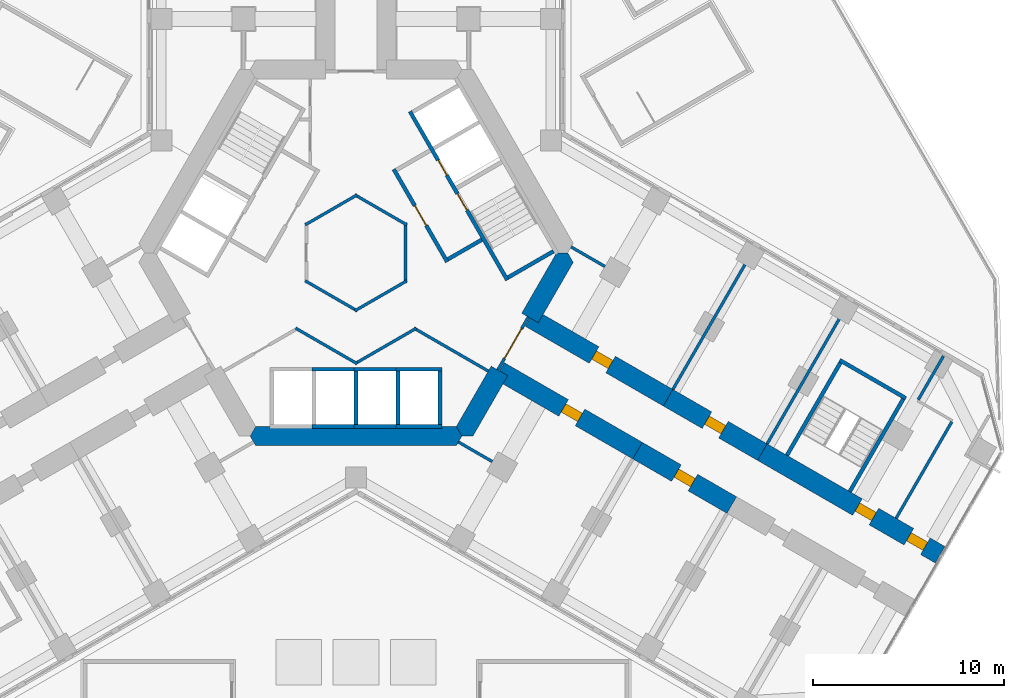
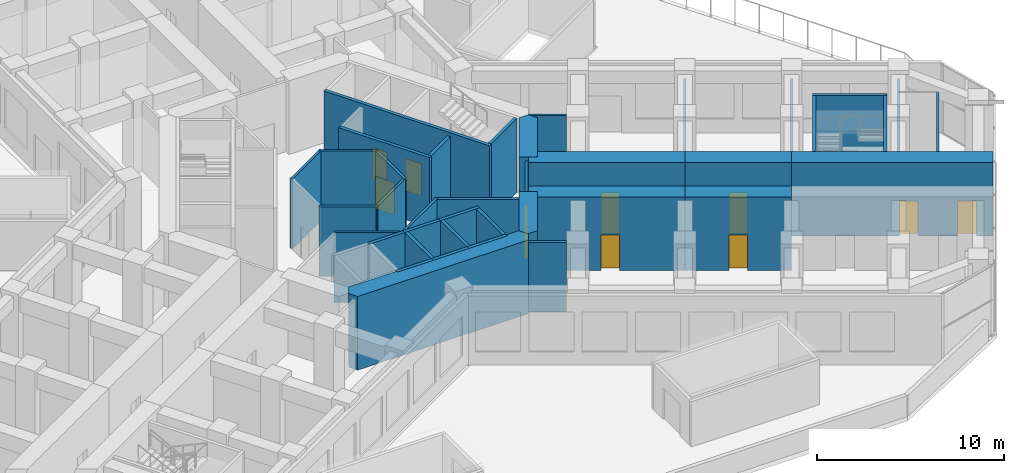
# One storey, part 12 of 18: 39 walls, 10 doors, 10 openings.
"""IFC4 building model written with IfcOpenShell, lengths in metres."""

from ifc_helpers import new_model, si_unit, direction, frame, frame_2d, origin, place, context, subcontext, project, spatial, polyline, rectangle, outline, extrude, material, layer, layer_set, type_object, element, fill, save


model = new_model("IFC4")

# Units and contexts
model_context = context("Model", 3, precision=1e-05, world=origin(), true_north=direction((0.0, 1.0)))
body_context = subcontext(model_context, "Body", "Model", "MODEL_VIEW")
ifc_project = project(units=[si_unit("LENGTHUNIT", "METRE"), si_unit("AREAUNIT", "SQUARE_METRE"), si_unit("VOLUMEUNIT", "CUBIC_METRE"), si_unit("PLANEANGLEUNIT", "RADIAN"), si_unit("MASSUNIT", "GRAM", prefix="KILO")], contexts=[model_context])

# Site, building, storey
site_placement = place(None, origin())
site = spatial("IfcSite", under=ifc_project, at=site_placement, CompositionType="ELEMENT")
building_placement = place(site_placement, origin())
building = spatial("IfcBuilding", under=site, at=building_placement, Name="Kosmar Iwan School Tower", CompositionType="ELEMENT")
storey_placement = place(building_placement, frame((0.0, 0.0, 20.39990234375)))
storey = spatial("IfcBuildingStorey", under=building, at=storey_placement, Name="L04", CompositionType="ELEMENT", Elevation=20.39990234375)

# Walls
ifc_material_1 = material(Name="Gypsum board on steel studs, fire-rated", Category="steel")
ifc_layer_1 = layer(ifc_material_1, 0.14990234375)
ifc_layer_set_1 = layer_set([ifc_layer_1], Name="Core room partition 150")
wall_type_1 = type_object("IfcWallType", Name="Core room partition 150", PredefinedType="PARTITIONING", material=ifc_layer_set_1)
for number, where, z_axis, x_axis, name in (
    (1, (2.6650390625, -1.463623046875, 0.0), (0.0, 0.0, 1.0), (-0.866023080072, -0.500004024767, 0.0), "Core room partition L04-CW4"),
    (2, (0.06494140625, -3.039794921875, 0.0), (0.0, 0.0, 1.0), (-0.866023080072, 0.500004024767, 0.0), "Core room partition L04-CW5"),
    (3, (-2.6650390625, 1.463623046875, 0.0), (0.0, 0.0, 1.0), (0.866023080072, 0.500004024767, 0.0), "Core room partition L04-CW7"),
    (4, (-0.06494140625, 3.039794921875, 0.0), (0.0, 0.0, 1.0), (0.866023080072, -0.500004024767, 0.0), "Core room partition L04-CW8"),
    (5, (2.60009765625, 1.576171875, 0.0), (0.0, 0.0, 1.0), (0.0, -1.0, 0.0), "Core room partition L04-CW9"),
):
    element("IfcWall", number, at=place(storey_placement, frame(where, z_axis=z_axis, x_axis=x_axis)), inside=storey, type_object=wall_type_1, Name=name, PredefinedType="PARTITIONING", context=body_context, shape_type="SweptSolid", body=[
        extrude(rectangle(XDim=3.15234375, YDim=0.14990234375, at=frame_2d((1.576171875, 0.0))), origin(), (0.0, 0.0, 1.0), 4.550048828125),
    ])
for number, where, z_axis, x_axis, name in (
    (6, (-3.1650390625, -3.9462890625, 0.0), (0.0, 0.0, 1.0), (0.866035156036, -0.499983108224, 0.0), "Core room partition L04-CW11"),
    (7, (-0.06494140625, -5.81103515625, 0.0), (0.0, 0.0, 1.0), (0.866035156036, 0.499983108224, 0.0), "Core room partition L04-CW12"),
):
    element("IfcWall", number, at=place(storey_placement, frame(where, z_axis=z_axis, x_axis=x_axis)), inside=storey, type_object=wall_type_1, Name=name, PredefinedType="PARTITIONING", context=body_context, shape_type="SweptSolid", body=[
        extrude(rectangle(XDim=3.729736328125, YDim=0.14990234375, at=frame_2d((1.86474609375, 0.0))), origin(), (0.0, 0.0, 1.0), 4.550048828125),
    ])
wall_1_placement = place(storey_placement, frame((3.03515625, -3.9462890625, 0.0), z_axis=(0.0, 0.0, 1.0), x_axis=(0.866020192391, -0.500009026289, 0.0)))
element("IfcWall", 8, at=wall_1_placement, inside=storey, type_object=wall_type_1, Name="Core room partition L04-CW13", PredefinedType="PARTITIONING", context=body_context, shape_type="SweptSolid", body=[
    extrude(rectangle(XDim=4.49853515625, YDim=0.14990234375, at=frame_2d((2.249267578125, 0.0))), origin(), (0.0, 0.0, 1.0), 4.550048828125),
])
ifc_material_2 = material(Name="Concrete C50/60", Category="concrete")
ifc_layer_2 = layer(ifc_material_2, 1.0)
ifc_layer_set_2 = layer_set([ifc_layer_2], Name="Core wall 1000")
wall_type_2 = type_object("IfcWallType", Name="Core wall 1000", PredefinedType="SHEAR", material=ifc_layer_set_2)
wall_2_placement = place(storey_placement, origin())
element("IfcWall", 9, at=wall_2_placement, inside=storey, type_object=wall_type_2, Name="Core wall F270", PredefinedType="SHEAR", context=body_context, shape_type="SweptSolid", body=[
    extrude(outline(polyline([(-5.25390625, -10.10009765625), (5.25390625, -10.10009765625), (5.54248046875, -9.60009765625), (5.25390625, -9.10009765625), (-5.25390625, -9.10009765625), (-5.54248046875, -9.60009765625), (-5.25390625, -10.10009765625)])), origin(), (0.0, 0.0, 1.0), 4.800048828125),
])
wall_3_placement = place(storey_placement, origin())
element("IfcWall", 10, at=wall_3_placement, inside=storey, type_object=wall_type_2, Name="Core wall F330a", PredefinedType="SHEAR", context=body_context, shape_type="SweptSolid", body=[
    extrude(outline(polyline([(5.54248046875, -9.60009765625), (6.119873046875, -9.60009765625), (7.94677734375, -6.435546875), (7.080810546875, -5.935546875), (5.25390625, -9.10009765625), (5.54248046875, -9.60009765625)])), origin(), (0.0, 0.0, 1.0), 4.800048828125),
])
wall_4_placement = place(storey_placement, origin())
element("IfcWall", 11, at=wall_4_placement, inside=storey, type_object=wall_type_2, Name="Core wall F330b", PredefinedType="SHEAR", context=body_context, shape_type="SweptSolid", body=[
    extrude(outline(polyline([(9.546875, -3.664306640625), (11.373779296875, -0.5), (11.085205078125, 0.0), (10.5078125, 0.0), (8.680908203125, -3.164306640625), (9.546875, -3.664306640625)])), origin(), (0.0, 0.0, 1.0), 4.800048828125),
])

# Wall, opening, door
ifc_material_3 = material(Name="Concrete C50/60", Category="concrete")
ifc_layer_3 = layer(ifc_material_3, 1.0)
ifc_layer_set_3 = layer_set([ifc_layer_3], Name="Corridor buttress wall 1000")
wall_type_3 = type_object("IfcWallType", Name="Corridor buttress wall 1000", PredefinedType="SHEAR", material=ifc_layer_set_3)
wall_5_placement = place(storey_placement, frame((9.11376953125, -3.414306640625, 0.0), z_axis=(0.0, 0.0, 1.0), x_axis=(0.866026859388, -0.499997478812, 0.0)))
wall_5 = element("IfcWall", 12, at=wall_5_placement, inside=storey, type_object=wall_type_3, Name="Corridor wall CL", PredefinedType="SHEAR", context=body_context, shape_type="SweptSolid", body=[
    extrude(rectangle(XDim=8.35009765625, YDim=1.0, at=frame_2d((4.175048828125, 0.0))), origin(), (0.0, 0.0, 1.0), 4.800048828125),
])
opening_1_placement = place(wall_5_placement, frame((3.875, 0.0, 0.0)))
opening_1 = element("IfcOpeningElement", 13, at=opening_1_placement, cuts=wall_5, Name="Opening D4", PredefinedType="OPENING", context=body_context, shape_type="SweptSolid", body=[
    extrude(rectangle(XDim=1.0, YDim=2.300048828125, at=frame_2d((0.5, 1.14990234375))), frame((0.0, 0.511962890625, 0.0), z_axis=(0.0, -1.0, 0.0), x_axis=(1.0, 0.0, 0.0)), (0.0, 0.0, 1.0), 1.02392578125),
])
ifc_material_4 = material(Name="Timber fire door with vision panel", Category="wood")
door_type_1 = type_object("IfcDoorType", Name="Classroom door 1000x2300", OperationType="SINGLE_SWING_LEFT", PredefinedType="DOOR", material=ifc_material_4)
door_1_placement = place(opening_1_placement, origin())
door_1 = element("IfcDoor", 14, at=door_1_placement, inside=storey, type_object=door_type_1, Name="Technology workshop CL door L04-CL1", OperationType="SINGLE_SWING_RIGHT", OverallHeight=2.300048828125, OverallWidth=1.0, PredefinedType="DOOR", context=body_context, shape_type="SweptSolid", body=[
    extrude(rectangle(XDim=1.0, YDim=2.300048828125, at=frame_2d((0.5, 1.14990234375))), frame((0.0, 0.25, 0.0), z_axis=(0.0, -1.0, 0.0), x_axis=(1.0, 0.0, 0.0)), (0.0, 0.0, 1.0), 0.5),
])
fill(opening_1, door_1)

wall_6_placement = place(storey_placement, frame((16.34521484375, -7.58935546875, 0.0), z_axis=(0.0, 0.0, 1.0), x_axis=(0.866015111908, -0.50001782563, 0.0)))
wall_6 = element("IfcWall", 15, at=wall_6_placement, inside=storey, type_object=wall_type_3, Name="Corridor wall CL bay 2", PredefinedType="SHEAR", context=body_context, shape_type="SweptSolid", body=[
    extrude(rectangle(XDim=5.699951171875, YDim=1.0, at=frame_2d((2.85009765625, 0.0))), origin(), (0.0, 0.0, 1.0), 4.800048828125),
])
opening_2_placement = place(wall_6_placement, frame((2.35009765625, 0.0, 0.0)))
opening_2 = element("IfcOpeningElement", 16, at=opening_2_placement, cuts=wall_6, Name="Opening D4", PredefinedType="OPENING", context=body_context, shape_type="SweptSolid", body=[
    extrude(rectangle(XDim=1.0, YDim=2.300048828125, at=frame_2d((0.5, 1.14990234375))), frame((0.0, 0.511962890625, 0.0), z_axis=(0.0, -1.0, 0.0), x_axis=(1.0, 0.0, 0.0)), (0.0, 0.0, 1.0), 1.02392578125),
])
door_2_placement = place(opening_2_placement, origin())
door_2 = element("IfcDoor", 17, at=door_2_placement, inside=storey, type_object=door_type_1, Name="Drawing studio CL door L04-CL2", OperationType="SINGLE_SWING_RIGHT", OverallHeight=2.300048828125, OverallWidth=1.0, PredefinedType="DOOR", context=body_context, shape_type="SweptSolid", body=[
    extrude(rectangle(XDim=1.0, YDim=2.300048828125, at=frame_2d((0.5, 1.14990234375))), frame((0.0, 0.25, 0.0), z_axis=(0.0, -1.0, 0.0), x_axis=(1.0, 0.0, 0.0)), (0.0, 0.0, 1.0), 0.5),
])
fill(opening_2, door_2)

# Wall, openings, doors
wall_7_placement = place(storey_placement, frame((21.281494140625, -10.439453125, 0.0), z_axis=(0.0, 0.0, 1.0), x_axis=(0.866032345022, -0.499987977232, 0.0)))
wall_7 = element("IfcWall", 18, at=wall_7_placement, inside=storey, type_object=wall_type_3, Name="Corridor wall CL bay 3", PredefinedType="SHEAR", context=body_context, shape_type="SweptSolid", body=[
    extrude(rectangle(XDim=10.744873046875, YDim=1.0, at=frame_2d((5.37255859375, 0.0))), origin(), (0.0, 0.0, 1.0), 4.800048828125),
])
opening_3_placement = place(wall_7_placement, frame((5.75, 0.0, 0.0)))
opening_3 = element("IfcOpeningElement", 19, at=opening_3_placement, cuts=wall_7, Name="Opening D4", PredefinedType="OPENING", context=body_context, shape_type="SweptSolid", body=[
    extrude(rectangle(XDim=1.0, YDim=2.300048828125, at=frame_2d((0.5, 1.14990234375))), frame((0.0, 0.511962890625, 0.0), z_axis=(0.0, -1.0, 0.0), x_axis=(1.0, 0.0, 0.0)), (0.0, 0.0, 1.0), 1.02392578125),
])
opening_4_placement = place(wall_7_placement, frame((8.860107421875, 0.0, 0.0)))
opening_4 = element("IfcOpeningElement", 20, at=opening_4_placement, cuts=wall_7, Name="Opening D4", PredefinedType="OPENING", context=body_context, shape_type="SweptSolid", body=[
    extrude(rectangle(XDim=1.0, YDim=2.300048828125, at=frame_2d((0.5, 1.14990234375))), frame((0.0, 0.511962890625, 0.0), z_axis=(0.0, -1.0, 0.0), x_axis=(1.0, 0.0, 0.0)), (0.0, 0.0, 1.0), 1.02392578125),
])
door_3_placement = place(opening_3_placement, origin())
door_3 = element("IfcDoor", 21, at=door_3_placement, inside=storey, type_object=door_type_1, Name="Staff room CL door L04-CL3", OperationType="SINGLE_SWING_LEFT", OverallHeight=2.300048828125, OverallWidth=1.0, PredefinedType="DOOR", context=body_context, shape_type="SweptSolid", body=[
    extrude(rectangle(XDim=1.0, YDim=2.300048828125, at=frame_2d((0.5, 1.14990234375))), frame((0.0, 0.25, 0.0), z_axis=(0.0, -1.0, 0.0), x_axis=(1.0, 0.0, 0.0)), (0.0, 0.0, 1.0), 0.5),
])
fill(opening_3, door_3)
door_4_placement = place(opening_4_placement, origin())
door_4 = element("IfcDoor", 22, at=door_4_placement, inside=storey, type_object=door_type_1, Name="Toilets door L04-CL4", OperationType="SINGLE_SWING_RIGHT", OverallHeight=2.300048828125, OverallWidth=1.0, PredefinedType="DOOR", context=body_context, shape_type="SweptSolid", body=[
    extrude(rectangle(XDim=1.0, YDim=2.300048828125, at=frame_2d((0.5, 1.14990234375))), frame((0.0, 0.25, 0.0), z_axis=(0.0, -1.0, 0.0), x_axis=(1.0, 0.0, 0.0)), (0.0, 0.0, 1.0), 0.5),
])
fill(opening_4, door_4)

# Wall, opening, door
wall_8_placement = place(storey_placement, frame((7.513916015625, -6.185546875, 0.0), z_axis=(0.0, 0.0, 1.0), x_axis=(0.866019549707, -0.500010139422, 0.0)))
wall_8 = element("IfcWall", 23, at=wall_8_placement, inside=storey, type_object=wall_type_3, Name="Corridor wall CR", PredefinedType="SHEAR", context=body_context, shape_type="SweptSolid", body=[
    extrude(rectangle(XDim=8.349853515625, YDim=1.0, at=frame_2d((4.1748046875, 0.0))), origin(), (0.0, 0.0, 1.0), 4.800048828125),
])
opening_5_placement = place(wall_8_placement, frame((3.875, 0.0, 0.0)))
opening_5 = element("IfcOpeningElement", 24, at=opening_5_placement, cuts=wall_8, Name="Opening D4", PredefinedType="OPENING", context=body_context, shape_type="SweptSolid", body=[
    extrude(rectangle(XDim=1.0, YDim=2.300048828125, at=frame_2d((0.5, 1.14990234375))), frame((0.0, 0.511962890625, 0.0), z_axis=(0.0, -1.0, 0.0), x_axis=(1.0, 0.0, 0.0)), (0.0, 0.0, 1.0), 1.02392578125),
])
door_5_placement = place(opening_5_placement, origin())
door_5 = element("IfcDoor", 25, at=door_5_placement, inside=storey, type_object=door_type_1, Name="Technology workshop CR door L04-CR1", OperationType="SINGLE_SWING_RIGHT", OverallHeight=2.300048828125, OverallWidth=1.0, PredefinedType="DOOR", context=body_context, shape_type="SweptSolid", body=[
    extrude(rectangle(XDim=1.0, YDim=2.300048828125, at=frame_2d((0.5, 1.14990234375))), frame((0.0, 0.25, 0.0), z_axis=(0.0, -1.0, 0.0), x_axis=(1.0, 0.0, 0.0)), (0.0, 0.0, 1.0), 0.5),
])
fill(opening_5, door_5)

wall_9_placement = place(storey_placement, frame((14.7451171875, -10.360595703125, 0.0), z_axis=(0.0, 0.0, 1.0), x_axis=(0.866015111908, -0.50001782563, 0.0)))
wall_9 = element("IfcWall", 26, at=wall_9_placement, inside=storey, type_object=wall_type_3, Name="Corridor wall CR bay 2", PredefinedType="SHEAR", context=body_context, shape_type="SweptSolid", body=[
    extrude(rectangle(XDim=5.699951171875, YDim=1.0, at=frame_2d((2.85009765625, 0.0))), origin(), (0.0, 0.0, 1.0), 4.800048828125),
])
opening_6_placement = place(wall_9_placement, frame((2.35009765625, 0.0, 0.0)))
opening_6 = element("IfcOpeningElement", 27, at=opening_6_placement, cuts=wall_9, Name="Opening D4", PredefinedType="OPENING", context=body_context, shape_type="SweptSolid", body=[
    extrude(rectangle(XDim=1.0, YDim=2.300048828125, at=frame_2d((0.5, 1.14990234375))), frame((0.0, 0.511962890625, 0.0), z_axis=(0.0, -1.0, 0.0), x_axis=(1.0, 0.0, 0.0)), (0.0, 0.0, 1.0), 1.02392578125),
])
door_6_placement = place(opening_6_placement, origin())
door_6 = element("IfcDoor", 28, at=door_6_placement, inside=storey, type_object=door_type_1, Name="Drawing studio CR door L04-CR2", OperationType="SINGLE_SWING_LEFT", OverallHeight=2.300048828125, OverallWidth=1.0, PredefinedType="DOOR", context=body_context, shape_type="SweptSolid", body=[
    extrude(rectangle(XDim=1.0, YDim=2.300048828125, at=frame_2d((0.5, 1.14990234375))), frame((0.0, 0.25, 0.0), z_axis=(0.0, -1.0, 0.0), x_axis=(1.0, 0.0, 0.0)), (0.0, 0.0, 1.0), 0.5),
])
fill(opening_6, door_6)

ifc_material_5 = material(Name="Steel framed glazed screen", Category="steel")
ifc_layer_4 = layer(ifc_material_5, 0.14990234375)
ifc_layer_set_4 = layer_set([ifc_layer_4], Name="Corridor screen wall 150")
wall_type_4 = type_object("IfcWallType", Name="Corridor screen wall 150", PredefinedType="PARTITIONING", material=ifc_layer_set_4)
wall_10_placement = place(storey_placement, frame((7.42724609375, -6.1357421875, 0.0), z_axis=(0.0, 0.0, 1.0), x_axis=(0.499995408039, 0.866028054938, 0.0)))
wall_10 = element("IfcWall", 29, at=wall_10_placement, inside=storey, type_object=wall_type_4, Name="Corridor screen C L04", PredefinedType="PARTITIONING", context=body_context, shape_type="SweptSolid", body=[
    extrude(rectangle(XDim=3.2001953125, YDim=0.14990234375, at=frame_2d((1.60009765625, 0.0))), origin(), (0.0, 0.0, 1.0), 4.550048828125),
])
opening_7_placement = place(wall_10_placement, frame((0.699951171875, 0.0, 0.0)))
opening_7 = element("IfcOpeningElement", 30, at=opening_7_placement, cuts=wall_10, Name="Opening D9", PredefinedType="OPENING", context=body_context, shape_type="SweptSolid", body=[
    extrude(rectangle(XDim=1.800048828125, YDim=2.10009765625, at=frame_2d((0.89990234375, 1.050048828125))), frame((0.0, 0.0869140625, 0.0), z_axis=(0.0, -1.0, 0.0), x_axis=(1.0, 0.0, 0.0)), (0.0, 0.0, 1.0), 0.173828125),
])
ifc_material_6 = material(Name="Steel framed glazed smoke door", Category="steel")
door_type_2 = type_object("IfcDoorType", Name="Corridor smoke door pair 1800x2100", OperationType="DOUBLE_DOOR_DOUBLE_SWING", PredefinedType="DOOR", material=ifc_material_6)
door_7_placement = place(opening_7_placement, origin())
door_7 = element("IfcDoor", 31, at=door_7_placement, inside=storey, type_object=door_type_2, Name="Corridor doors C L04", OperationType="DOUBLE_DOOR_DOUBLE_SWING", OverallHeight=2.10009765625, OverallWidth=1.800048828125, PredefinedType="DOOR", context=body_context, shape_type="SweptSolid", body=[
    extrude(rectangle(XDim=1.800048828125, YDim=2.10009765625, at=frame_2d((0.89990234375, 1.050048828125))), frame((0.0, 0.02490234375, 0.0), z_axis=(0.0, -1.0, 0.0), x_axis=(1.0, 0.0, 0.0)), (0.0, 0.0, 1.0), 0.050048828125),
])
fill(opening_7, door_7)

# Walls
ifc_material_7 = material(Name="Concrete C35/45", Category="concrete")
ifc_layer_5 = layer(ifc_material_7, 0.199951171875)
ifc_layer_set_5 = layer_set([ifc_layer_5], Name="Escape stair wall 200")
wall_type_5 = type_object("IfcWallType", Name="Escape stair wall 200", PredefinedType="SHEAR", material=ifc_layer_set_5)
for number, where, z_axis, x_axis, name in (
    (32, (22.57080078125, -10.6064453125, 0.0), (0.0, 0.0, 1.0), (0.499987231761, 0.866032775405, 0.0), "Stair WS3 wall"),
    (33, (25.861572265625, -12.50634765625, 0.0), (0.0, 0.0, 1.0), (0.500018801468, 0.86601454848, 0.0), "Stair WS3 wall"),
):
    element("IfcWall", number, at=place(storey_placement, frame(where, z_axis=z_axis, x_axis=x_axis)), inside=storey, type_object=wall_type_5, Name=name, PredefinedType="SHEAR", context=body_context, shape_type="SweptSolid", body=[
        extrude(rectangle(XDim=5.800048828125, YDim=0.199951171875, at=frame_2d((2.89990234375, 0.0))), origin(), (0.0, 0.0, 1.0), 4.530029296875),
    ])
wall_11_placement = place(storey_placement, frame((25.334228515625, -5.6201171875, 0.0), z_axis=(0.0, 0.0, 1.0), x_axis=(0.866026010844, -0.49999894854, 0.0)))
element("IfcWall", 34, at=wall_11_placement, inside=storey, type_object=wall_type_5, Name="Stair WS3 wall", PredefinedType="SHEAR", context=body_context, shape_type="SweptSolid", body=[
    extrude(rectangle(XDim=4.0, YDim=0.199951171875, at=frame_2d((2.0, 0.0))), origin(), (0.0, 0.0, 1.0), 4.530029296875),
])

# Wall, opening, door
ifc_material_8 = material(Name="Concrete block masonry", Category="masonry")
ifc_layer_6 = layer(ifc_material_8, 0.199951171875)
ifc_layer_set_6 = layer_set([ifc_layer_6], Name="Fire lobby wall 200")
wall_type_6 = type_object("IfcWallType", Name="Fire lobby wall 200", PredefinedType="PARTITIONING", material=ifc_layer_set_6)
wall_12_placement = place(storey_placement, frame((4.777587890625, -0.474853515625, 0.0), z_axis=(0.0, 0.0, 1.0), x_axis=(-0.500016814911, 0.866015695474, 0.0)))
wall_12 = element("IfcWall", 35, at=wall_12_placement, inside=storey, type_object=wall_type_6, Name="Firefighting lobby wall ST1", PredefinedType="PARTITIONING", context=body_context, shape_type="SweptSolid", body=[
    extrude(rectangle(XDim=5.599853515625, YDim=0.199951171875, at=frame_2d((2.7998046875, 0.0))), origin(), (0.0, 0.0, 1.0), 4.550048828125),
])
opening_8_placement = place(wall_12_placement, frame((2.199951171875, 0.0, 0.0)))
opening_8 = element("IfcOpeningElement", 36, at=opening_8_placement, cuts=wall_12, Name="Opening D7", PredefinedType="OPENING", context=body_context, shape_type="SweptSolid", body=[
    extrude(rectangle(XDim=1.199951171875, YDim=2.10009765625, at=frame_2d((0.60009765625, 1.050048828125))), frame((0.0, 0.112060546875, 0.0), z_axis=(0.0, -1.0, 0.0), x_axis=(1.0, 0.0, 0.0)), (0.0, 0.0, 1.0), 0.223876953125),
])
ifc_material_9 = material(Name="Steel fire door", Category="steel")
door_type_3 = type_object("IfcDoorType", Name="Fire lobby door 1200x2100", OperationType="SINGLE_SWING_LEFT", PredefinedType="DOOR", material=ifc_material_9)
door_8_placement = place(opening_8_placement, frame((1.199951171875, 0.0, 0.0), z_axis=(0.0, 0.0, 1.0), x_axis=(-1.0, 0.0, 0.0)))
door_8 = element("IfcDoor", 37, at=door_8_placement, inside=storey, type_object=door_type_3, Name="Firefighting lobby door ST1 L04", OperationType="SINGLE_SWING_RIGHT", OverallHeight=2.10009765625, OverallWidth=1.199951171875, PredefinedType="DOOR", context=body_context, shape_type="SweptSolid", body=[
    extrude(rectangle(XDim=1.199951171875, YDim=2.10009765625, at=frame_2d((0.60009765625, 1.050048828125))), frame((0.0, 0.02490234375, 0.0), z_axis=(0.0, -1.0, 0.0), x_axis=(1.0, 0.0, 0.0)), (0.0, 0.0, 1.0), 0.050048828125),
])
fill(opening_8, door_8)

# Wall
wall_13_placement = place(storey_placement, frame((4.814208984375, -0.33837890625, 0.0), z_axis=(0.0, 0.0, 1.0), x_axis=(0.865969381856, 0.500097020274, 0.0)))
element("IfcWall", 38, at=wall_13_placement, inside=storey, type_object=wall_type_6, Name="Firefighting lobby wall ST1", PredefinedType="PARTITIONING", context=body_context, shape_type="SweptSolid", body=[
    extrude(rectangle(XDim=2.0498046875, YDim=0.199951171875, at=frame_2d((1.02490234375, 0.0))), origin(), (0.0, 0.0, 1.0), 4.550048828125),
])

# Wall, openings, doors
ifc_material_10 = material(Name="Concrete C50/60", Category="concrete")
ifc_layer_7 = layer(ifc_material_10, 0.199951171875)
ifc_layer_set_7 = layer_set([ifc_layer_7], Name="Lift shaft wall 200")
wall_type_7 = type_object("IfcWallType", Name="Lift shaft wall 200", PredefinedType="SHEAR", material=ifc_layer_set_7)
wall_14_placement = place(storey_placement, frame((7.926025390625, -1.42822265625, 0.0), z_axis=(0.0, 0.0, 1.0), x_axis=(-0.499998023675, 0.866026544813, 0.0)))
wall_14 = element("IfcWall", 39, at=wall_14_placement, inside=storey, type_object=wall_type_7, Name="Lift and stair front wall AC", PredefinedType="SHEAR", context=body_context, shape_type="SweptSolid", body=[
    extrude(rectangle(XDim=10.19970703125, YDim=0.199951171875, at=frame_2d((5.099853515625, 0.0))), origin(), (0.0, 0.0, 1.0), 4.800048828125),
])
opening_9_placement = place(wall_14_placement, frame((6.35009765625, 0.0, 0.0)))
opening_9 = element("IfcOpeningElement", 40, at=opening_9_placement, cuts=wall_14, Name="Opening LD2", PredefinedType="OPENING", context=body_context, shape_type="SweptSolid", body=[
    extrude(rectangle(XDim=0.89990234375, YDim=2.10009765625, at=frame_2d((0.449951171875, 1.050048828125))), frame((0.0, 0.112060546875, 0.0), z_axis=(0.0, -1.0, 0.0), x_axis=(1.0, 0.0, 0.0)), (0.0, 0.0, 1.0), 0.223876953125),
])
opening_10_placement = place(wall_14_placement, frame((4.22998046875, 0.0, 0.0)))
opening_10 = element("IfcOpeningElement", 41, at=opening_10_placement, cuts=wall_14, Name="Opening D6", PredefinedType="OPENING", context=body_context, shape_type="SweptSolid", body=[
    extrude(rectangle(XDim=1.0, YDim=2.10009765625, at=frame_2d((0.5, 1.050048828125))), frame((0.0, 0.112060546875, 0.0), z_axis=(0.0, -1.0, 0.0), x_axis=(1.0, 0.0, 0.0)), (0.0, 0.0, 1.0), 0.223876953125),
])
ifc_material_11 = material(Name="Stainless steel sliding lift door", Category="steel")
door_type_4 = type_object("IfcDoorType", Name="Firefighting lift landing door 900x2100", OperationType="SLIDING_TO_LEFT", PredefinedType="DOOR", material=ifc_material_11)
door_9_placement = place(opening_9_placement, origin())
door_9 = element("IfcDoor", 42, at=door_9_placement, inside=storey, type_object=door_type_4, Name="Lift FF1 landing door L04", OperationType="SLIDING_TO_LEFT", OverallHeight=2.10009765625, OverallWidth=0.89990234375, PredefinedType="DOOR", context=body_context, shape_type="SweptSolid", body=[
    extrude(rectangle(XDim=0.89990234375, YDim=2.10009765625, at=frame_2d((0.449951171875, 1.050048828125))), frame((0.0, 0.02490234375, 0.0), z_axis=(0.0, -1.0, 0.0), x_axis=(1.0, 0.0, 0.0)), (0.0, 0.0, 1.0), 0.050048828125),
])
fill(opening_9, door_9)
ifc_material_12 = material(Name="Steel fire door", Category="steel")
door_type_5 = type_object("IfcDoorType", Name="Stair door 1000x2100", OperationType="SINGLE_SWING_LEFT", PredefinedType="DOOR", material=ifc_material_12)
door_10_placement = place(opening_10_placement, origin())
door_10 = element("IfcDoor", 43, at=door_10_placement, inside=storey, type_object=door_type_5, Name="Stair ST1 door L04", OperationType="SINGLE_SWING_LEFT", OverallHeight=2.10009765625, OverallWidth=1.0, PredefinedType="DOOR", context=body_context, shape_type="SweptSolid", body=[
    extrude(rectangle(XDim=1.0, YDim=2.10009765625, at=frame_2d((0.5, 1.050048828125))), frame((0.0, 0.02490234375, 0.0), z_axis=(0.0, -1.0, 0.0), x_axis=(1.0, 0.0, 0.0)), (0.0, 0.0, 1.0), 0.050048828125),
])
fill(opening_10, door_10)

# Walls
for number, where, z_axis, x_axis, name in (
    (44, (-2.300048828125, -6.10009765625, 0.0), (0.0, 0.0, 1.0), (1.0, 0.0, 0.0), "Lift and stair front wall BC"),
    (45, (-2.300048828125, -9.10009765625, 0.0), (0.0, 0.0, 1.0), (1.0, 0.0, 0.0), "Lift and stair back wall BC"),
):
    element("IfcWall", number, at=place(storey_placement, frame(where, z_axis=z_axis, x_axis=x_axis)), inside=storey, type_object=wall_type_7, Name=name, PredefinedType="SHEAR", context=body_context, shape_type="SweptSolid", body=[
        extrude(rectangle(XDim=2.199951171875, YDim=0.199951171875, at=frame_2d((1.10009765625, 0.0))), origin(), (0.0, 0.0, 1.0), 4.800048828125),
    ])
for number, where, z_axis, x_axis, name in (
    (46, (-0.10009765625, -6.10009765625, 0.0), (0.0, 0.0, 1.0), (1.0, 0.0, 0.0), "Lift and stair front wall BC"),
    (47, (-0.10009765625, -9.10009765625, 0.0), (0.0, 0.0, 1.0), (1.0, 0.0, 0.0), "Lift and stair back wall BC"),
):
    element("IfcWall", number, at=place(storey_placement, frame(where, z_axis=z_axis, x_axis=x_axis)), inside=storey, type_object=wall_type_7, Name=name, PredefinedType="SHEAR", context=body_context, shape_type="SweptSolid", body=[
        extrude(rectangle(XDim=2.2001953125, YDim=0.199951171875, at=frame_2d((1.10009765625, 0.0))), origin(), (0.0, 0.0, 1.0), 4.800048828125),
    ])
for number, where, z_axis, x_axis, name in (
    (48, (2.10009765625, -6.10009765625, 0.0), (0.0, 0.0, 1.0), (1.0, 0.0, 0.0), "Lift and stair front wall BC"),
    (49, (2.10009765625, -9.10009765625, 0.0), (0.0, 0.0, 1.0), (1.0, 0.0, 0.0), "Lift and stair back wall BC"),
):
    element("IfcWall", number, at=place(storey_placement, frame(where, z_axis=z_axis, x_axis=x_axis)), inside=storey, type_object=wall_type_7, Name=name, PredefinedType="SHEAR", context=body_context, shape_type="SweptSolid", body=[
        extrude(rectangle(XDim=2.39990234375, YDim=0.199951171875, at=frame_2d((1.199951171875, 0.0))), origin(), (0.0, 0.0, 1.0), 4.800048828125),
    ])
for number, where, z_axis, x_axis, name in (
    (50, (0.0, -6.199951171875, 0.0), (0.0, 0.0, 1.0), (0.0, -1.0, 0.0), "Lift shaft wall BC 2"),
    (51, (2.199951171875, -6.199951171875, 0.0), (0.0, 0.0, 1.0), (0.0, -1.0, 0.0), "Lift shaft wall BC 3"),
    (52, (4.39990234375, -6.199951171875, 0.0), (0.0, 0.0, 1.0), (0.0, -1.0, 0.0), "Lift shaft wall BC 4"),
):
    element("IfcWall", number, at=place(storey_placement, frame(where, z_axis=z_axis, x_axis=x_axis)), inside=storey, type_object=wall_type_7, Name=name, PredefinedType="SHEAR", context=body_context, shape_type="SweptSolid", body=[
        extrude(rectangle(XDim=2.800048828125, YDim=0.199951171875, at=frame_2d((1.39990234375, 0.0))), origin(), (0.0, 0.0, 1.0), 4.800048828125),
    ])
ifc_material_13 = material(Name="Gypsum board on steel studs", Category="steel")
ifc_layer_8 = layer(ifc_material_13, 0.14990234375)
ifc_layer_set_8 = layer_set([ifc_layer_8], Name="School partition 150")
wall_type_8 = type_object("IfcWallType", Name="School partition 150", PredefinedType="PARTITIONING", material=ifc_layer_set_8)
wall_15_placement = place(storey_placement, frame((11.263916015625, 0.3095703125, 0.0), z_axis=(0.0, 0.0, 1.0), x_axis=(0.865999163574, -0.500045446624, 0.0)))
element("IfcWall", 53, at=wall_15_placement, inside=storey, type_object=wall_type_8, Name="Partition L04-CL-NB", PredefinedType="PARTITIONING", context=body_context, shape_type="SweptSolid", body=[
    extrude(rectangle(XDim=2.050048828125, YDim=0.14990234375, at=frame_2d((1.02490234375, 0.0))), origin(), (0.0, 0.0, 1.0), 4.550048828125),
])
for number, where, z_axis, x_axis, name in (
    (54, (16.59521484375, -7.15625, 0.0), (0.0, 0.0, 1.0), (0.500007509209, 0.866021068297, 0.0), "Partition L04-CL-X1"),
    (55, (21.531494140625, -10.00634765625, 0.0), (0.0, 0.0, 1.0), (0.500007509209, 0.866021068297, 0.0), "Partition L04-CL-X2"),
):
    element("IfcWall", number, at=place(storey_placement, frame(where, z_axis=z_axis, x_axis=x_axis)), inside=storey, type_object=wall_type_8, Name=name, PredefinedType="PARTITIONING", context=body_context, shape_type="SweptSolid", body=[
        extrude(rectangle(XDim=8.599853515625, YDim=0.14990234375, at=frame_2d((4.2998046875, 0.0))), origin(), (0.0, 0.0, 1.0), 3.550048828125),
    ])
wall_16_placement = place(storey_placement, frame((29.44775390625, -7.69482421875, 0.0), z_axis=(0.0, 0.0, 1.0), x_axis=(0.500007957085, 0.86602080971, 0.0)))
element("IfcWall", 56, at=wall_16_placement, inside=storey, type_object=wall_type_8, Name="Partition L04-CL-X3", PredefinedType="PARTITIONING", context=body_context, shape_type="SweptSolid", body=[
    extrude(rectangle(XDim=2.64013671875, YDim=0.14990234375, at=frame_2d((1.320068359375, 0.0))), origin(), (0.0, 0.0, 1.0), 3.550048828125),
])
wall_17_placement = place(storey_placement, frame((28.286376953125, -13.90625, 0.0), z_axis=(0.0, 0.0, 1.0), x_axis=(0.500019182438, 0.866014328516, 0.0)))
element("IfcWall", 57, at=wall_17_placement, inside=storey, type_object=wall_type_8, Name="Partition L04-CL-X3T", PredefinedType="PARTITIONING", context=body_context, shape_type="SweptSolid", body=[
    extrude(rectangle(XDim=5.840087890625, YDim=0.14990234375, at=frame_2d((2.919921875, 0.0))), origin(), (0.0, 0.0, 1.0), 4.550048828125),
])
wall_18_placement = place(storey_placement, frame((5.36376953125, -9.909423828125, 0.0), z_axis=(0.0, 0.0, 1.0), x_axis=(0.865999163574, -0.500045446624, 0.0)))
element("IfcWall", 58, at=wall_18_placement, inside=storey, type_object=wall_type_8, Name="Partition L04-CR-NB", PredefinedType="PARTITIONING", context=body_context, shape_type="SweptSolid", body=[
    extrude(rectangle(XDim=2.050048828125, YDim=0.14990234375, at=frame_2d((1.02490234375, 0.0))), origin(), (0.0, 0.0, 1.0), 4.550048828125),
])
ifc_material_14 = material(Name="Concrete C50/60", Category="concrete")
ifc_layer_9 = layer(ifc_material_14, 0.199951171875)
ifc_layer_set_9 = layer_set([ifc_layer_9], Name="Stair enclosure wall 200")
wall_type_9 = type_object("IfcWallType", Name="Stair enclosure wall 200", PredefinedType="SHEAR", material=ifc_layer_set_9)
wall_19_placement = place(storey_placement, frame((7.962646484375, -1.291748046875, 0.0), z_axis=(0.0, 0.0, 1.0), x_axis=(0.866027397988, 0.499996545922, 0.0)))
element("IfcWall", 59, at=wall_19_placement, inside=storey, type_object=wall_type_9, Name="Stair ST1 wall", PredefinedType="SHEAR", context=body_context, shape_type="SweptSolid", body=[
    extrude(rectangle(XDim=2.75, YDim=0.199951171875, at=frame_2d((1.375, 0.0))), origin(), (0.0, 0.0, 1.0), 4.800048828125),
])

save(model, "model.ifc")
